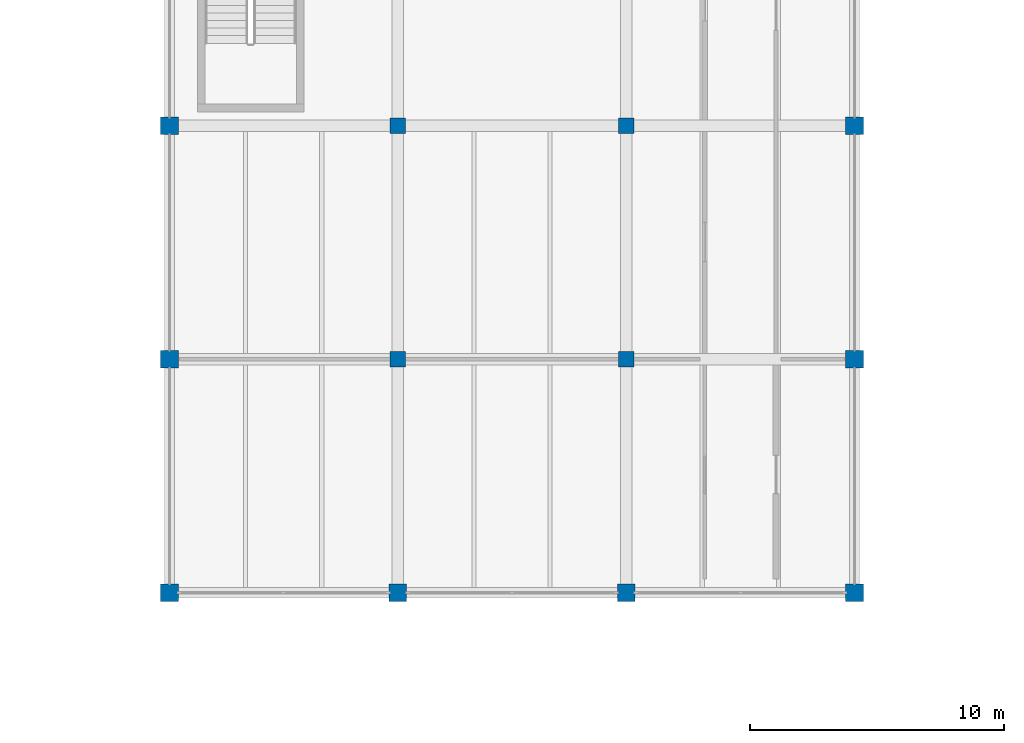
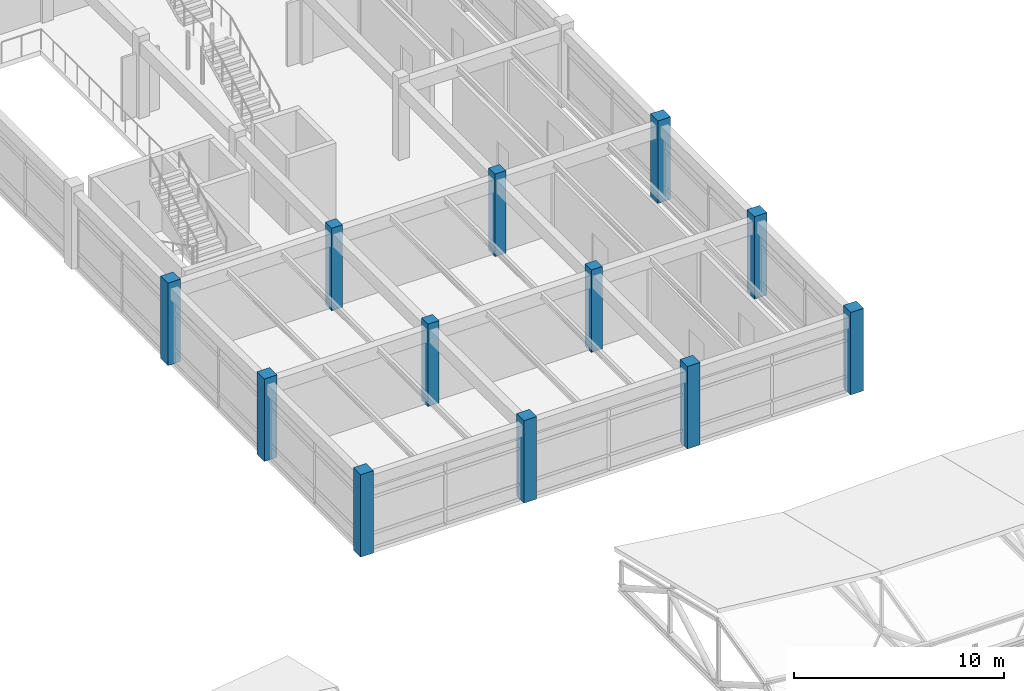
# One storey, part 5 of 90: 12 columns.
"""IFC4 building model written with IfcOpenShell, lengths in metres."""

import ifcopenshell
import ifcopenshell.guid

model = None  # the IFC model being written
_history = None  # IfcOwnerHistory: only IFC2X3 demands one
_inside = {}  # id of a spatial element -> (the spatial element, [elements in it])
_under = {}  # id of a project, library or spatial element -> (it, [spatial elements below it])
_declared = {}  # id of a project -> (the project, [libraries it declares])
_typed = {}  # id of a type object -> (the type object, [elements of that type])
_made_of = {}  # id of a material, layer set ... -> (it, [elements and type objects made of it])


def new_model(schema):
    """Start an empty IFC model of exactly this schema.

    Asked for "IFC4X3", IfcOpenShell would pick the latest addendum, in which some entities
    have other attributes; the version numbers below select the first issue.
    IFC2X3 requires an IfcOwnerHistory on every rooted entity: one is made here for all.
    """
    global model, _history
    if schema == "IFC4X3":
        model = ifcopenshell.file(schema_version=(4, 3, 0, 0))
    else:
        model = ifcopenshell.file(schema=schema)
    _inside.clear()
    _under.clear()
    _declared.clear()
    _typed.clear()
    _made_of.clear()
    _history = None
    if model.schema == "IFC2X3":
        org = make("IfcOrganization", Name="unknown")
        user = make(
            "IfcPersonAndOrganization",
            ThePerson=make("IfcPerson", FamilyName="unknown"),
            TheOrganization=org,
        )
        app = make(
            "IfcApplication",
            ApplicationDeveloper=org,
            Version="unknown",
            ApplicationFullName="unknown",
            ApplicationIdentifier="unknown",
        )
        _history = make(
            "IfcOwnerHistory",
            OwningUser=user,
            OwningApplication=app,
            ChangeAction="ADDED",
            CreationDate=0,
        )
    return model


def make(cls, **values):
    """One entity of the class cls with the attributes given. An attribute that is None is left unset."""
    return model.create_entity(
        cls, **{name: value for name, value in values.items() if value is not None}
    )


def rooted(cls, **values):
    """An entity with a GlobalId (a new one), such as an element, a storey or a relation."""
    return make(cls, GlobalId=ifcopenshell.guid.new(), OwnerHistory=_history, **values)


def si_unit(unit_type, name, prefix=None):
    """IfcSIUnit, for example si_unit("LENGTHUNIT", "METRE", prefix="MILLI")."""
    return make("IfcSIUnit", UnitType=unit_type, Prefix=prefix, Name=name)


def assignment(units):
    """IfcUnitAssignment: the units of a project."""
    return None if units is None else make("IfcUnitAssignment", Units=units)


def point(xyz):
    """IfcCartesianPoint."""
    return None if xyz is None else make("IfcCartesianPoint", Coordinates=xyz)


def direction(xyz):
    """IfcDirection."""
    return None if xyz is None else make("IfcDirection", DirectionRatios=xyz)


def frame(location, z_axis=None, x_axis=None):
    """IfcAxis2Placement3D, a coordinate frame: its origin and axes. An axis left out is left unset."""
    return make(
        "IfcAxis2Placement3D",
        Location=point(location),
        Axis=direction(z_axis),
        RefDirection=direction(x_axis),
    )


def frame_2d(location, x_axis=None):
    """IfcAxis2Placement2D, a coordinate frame in the plane: its origin and x axis."""
    return make(
        "IfcAxis2Placement2D", Location=point(location), RefDirection=direction(x_axis)
    )


def origin():
    """The frame at (0, 0, 0) with its axes left unset."""
    return frame((0.0, 0.0, 0.0))


def origin_2d():
    """The frame at (0, 0) in the plane with its x axis left unset."""
    return frame_2d((0.0, 0.0))


def place(relative_to, where):
    """IfcLocalPlacement: puts the frame where relative to a parent placement (None: the world)."""
    return make(
        "IfcLocalPlacement", PlacementRelTo=relative_to, RelativePlacement=where
    )


def context(
    kind, dimensions, precision=None, world=None, true_north=None, identifier=None
):
    """IfcGeometricRepresentationContext, for example the 3D "Model" context."""
    return make(
        "IfcGeometricRepresentationContext",
        ContextIdentifier=identifier,
        ContextType=kind,
        CoordinateSpaceDimension=dimensions,
        Precision=precision,
        WorldCoordinateSystem=world,
        TrueNorth=true_north,
    )


def subcontext(parent, identifier, kind, view, scale=None):
    """IfcGeometricRepresentationSubContext, for example "Body" below "Model"."""
    return make(
        "IfcGeometricRepresentationSubContext",
        ContextIdentifier=identifier,
        ContextType=kind,
        ParentContext=parent,
        TargetScale=scale,
        TargetView=view,
    )


def project(units=None, contexts=None):
    """IfcProject with its units and contexts."""
    return rooted(
        "IfcProject",
        Name="project",
        RepresentationContexts=contexts,
        UnitsInContext=assignment(units),
    )


def spatial(cls, under=None, at=None, **own):
    """A site, building, storey or space (cls), placed at a placement, below another one or the project."""
    s = rooted(cls, ObjectPlacement=at, **own)
    if under is not None:
        _under.setdefault(under.id(), (under, []))[1].append(s)
    return s


def profile(cls, at=None, kind="AREA", **sizes):
    """A parametric profile (cls). Its sizes go by their IFC names, for example OverallWidth=200.0."""
    return make(cls, ProfileType=kind, Position=at, **sizes)


def rectangle(**sizes):
    """IfcRectangleProfileDef."""
    return profile("IfcRectangleProfileDef", **sizes)


def extrude(swept, where, along, depth):
    """IfcExtrudedAreaSolid: the profile swept, set in the frame where, extruded along a direction by depth."""
    return make(
        "IfcExtrudedAreaSolid",
        SweptArea=swept,
        Position=where,
        ExtrudedDirection=direction(along),
        Depth=depth,
    )


def shape(context_of_items, identifier, shape_type, items):
    """IfcShapeRepresentation: the items that make up one representation, for example the "Body"."""
    return make(
        "IfcShapeRepresentation",
        ContextOfItems=context_of_items,
        RepresentationIdentifier=identifier,
        RepresentationType=shape_type,
        Items=items,
    )


def material(Name=None, Category=None):
    """IfcMaterial."""
    return make("IfcMaterial", Name=Name, Category=Category)


def material_profile(
    of_material, cross_section, Name=None, Category=None, Priority=None
):
    """IfcMaterialProfile: a cross section and its material."""
    return make(
        "IfcMaterialProfile",
        Name=Name,
        Material=of_material,
        Profile=cross_section,
        Priority=Priority,
        Category=Category,
    )


def profile_set(profiles, Name=None, composite=None):
    """IfcMaterialProfileSet."""
    return make(
        "IfcMaterialProfileSet",
        Name=Name,
        MaterialProfiles=profiles,
        CompositeProfile=composite,
    )


def made_of(thing, what):
    """Note that an element or type object is made of a material, layer set ...; save() writes the relation."""
    if what is not None:
        _made_of.setdefault(what.id(), (what, []))[1].append(thing)
    return thing


def type_object(cls, material=None, **own):
    """A type object (cls), such as IfcWallType, which elements share."""
    return made_of(rooted(cls, **own), material)


def element(
    cls,
    number,
    at=None,
    inside=None,
    cuts=None,
    type_object=None,
    material=None,
    context=None,
    identifier="Body",
    shape_type=None,
    held_by="IfcProductDefinitionShape",
    body=None,
    shapes=None,
    **own,
):
    """One element of the class cls, such as IfcWall. Its Tag is "e" and its number.

    at: its placement. inside: the storey or other place that contains it. cuts: it is an
    opening in that element (IfcRelVoidsElement). A single representation is given by context,
    identifier, shape_type and body (its items); several are given by shapes. held_by: the class
    of the entity that holds the representations. save() writes the other relations.
    """
    e = rooted(cls, Tag="e%d" % number, ObjectPlacement=at, **own)
    if body is not None:
        shapes = [shape(context, identifier, shape_type, body)]
    if shapes is not None:
        e.Representation = make(held_by, Representations=shapes)
    if inside is not None:
        _inside.setdefault(inside.id(), (inside, []))[1].append(e)
    if cuts is not None:
        rooted(
            "IfcRelVoidsElement", RelatingBuildingElement=cuts, RelatedOpeningElement=e
        )
    if type_object is not None:
        _typed.setdefault(type_object.id(), (type_object, []))[1].append(e)
    return made_of(e, material)


def aggregate(whole, parts):
    """IfcRelAggregates: a whole, such as a stair, and the parts it consists of."""
    return rooted("IfcRelAggregates", RelatingObject=whole, RelatedObjects=parts)


def save(model, path):
    """Write the relations noted so far, then the file.

    IfcRelAggregates (storeys below a building ...), IfcRelContainedInSpatialStructure (elements
    in a storey), IfcRelDefinesByType, IfcRelAssociatesMaterial and IfcRelDeclares: one each for
    every whole, place, type object, material and project.
    """
    for whole, parts in _under.values():
        aggregate(whole, parts)
    for where, things in _inside.values():
        rooted(
            "IfcRelContainedInSpatialStructure",
            RelatedElements=things,
            RelatingStructure=where,
        )
    for kind, things in _typed.values():
        rooted("IfcRelDefinesByType", RelatedObjects=things, RelatingType=kind)
    for what, things in _made_of.values():
        rooted("IfcRelAssociatesMaterial", RelatedObjects=things, RelatingMaterial=what)
    for by, libraries in _declared.values():
        rooted("IfcRelDeclares", RelatingContext=by, RelatedDefinitions=libraries)
    model.write(path)


model = new_model("IFC4")

# Units and contexts
model_context = context("Model", 3, precision=1e-05, world=origin(), true_north=direction((0.0, 1.0)))
body_context = subcontext(model_context, "Body", "Model", "MODEL_VIEW")
ifc_project = project(units=[si_unit("LENGTHUNIT", "METRE"), si_unit("AREAUNIT", "SQUARE_METRE"), si_unit("VOLUMEUNIT", "CUBIC_METRE"), si_unit("PLANEANGLEUNIT", "RADIAN"), si_unit("MASSUNIT", "GRAM", prefix="KILO")], contexts=[model_context])

# Site, building, storey
site_placement = place(None, origin())
site = spatial("IfcSite", under=ifc_project, at=site_placement, CompositionType="ELEMENT")
building_placement = place(site_placement, origin())
building = spatial("IfcBuilding", under=site, at=building_placement, Name="Bozkorgan Art Gallery", CompositionType="ELEMENT")
storey_placement = place(building_placement, frame((0.0, 0.0, 5.39990234375)))
storey = spatial("IfcBuildingStorey", under=building, at=storey_placement, Name="L01", CompositionType="ELEMENT", Elevation=5.39990234375)

# Columns
ifc_material = material(Name="Concrete C40/50", Category="concrete")
ifc_material_profile_1 = material_profile(ifc_material, rectangle(XDim=0.60009765625, YDim=0.60009765625, at=origin_2d()), Name="RC 600x600")
ifc_profile_set_1 = profile_set([ifc_material_profile_1], Name="Concrete C40/50")
column_type_1 = type_object("IfcColumnType", Name="COLUMN-C-57", PredefinedType="COLUMN", material=ifc_profile_set_1)
for number, where, z_axis, x_axis, name in (
    (1, (83.0, 47.60009765625, 0.0), (0.0, 0.0, 1.0), (1.0, 0.0, 0.0), "V4 L01 column (83.0, 47.6)"),
    (2, (83.0, 56.800048828125, 0.0), (0.0, 0.0, 1.0), (1.0, 0.0, 0.0), "V4 L01 column (83.0, 56.8)"),
    (3, (92.0, 47.60009765625, 0.0), (0.0, 0.0, 1.0), (1.0, 0.0, 0.0), "V4 L01 column (92.0, 47.6)"),
    (4, (92.0, 56.800048828125, 0.0), (0.0, 0.0, 1.0), (1.0, 0.0, 0.0), "V4 L01 column (92.0, 56.8)"),
):
    element("IfcColumn", number, at=place(storey_placement, frame(where, z_axis=z_axis, x_axis=x_axis)), inside=storey, type_object=column_type_1, Name=name, PredefinedType="COLUMN", context=body_context, shape_type="SweptSolid", body=[
        extrude(rectangle(XDim=0.60009765625, YDim=0.60009765625, at=origin_2d()), origin(), (0.0, 0.0, 1.0), 4.800048828125),
    ])
ifc_material_profile_2 = material_profile(ifc_material, rectangle(XDim=0.699951171875, YDim=0.699951171875, at=origin_2d()), Name="RC 700x700")
ifc_profile_set_2 = profile_set([ifc_material_profile_2], Name="Concrete C40/50")
column_type_2 = type_object("IfcColumnType", Name="COLUMN-C-73", PredefinedType="COLUMN", material=ifc_profile_set_2)
for number, where, z_axis, x_axis, name in (
    (5, (74.0, 38.39990234375, 0.0), (0.0, 0.0, 1.0), (1.0, 0.0, 0.0), "V4 L01 column (74.0, 38.4)"),
    (6, (74.0, 47.60009765625, 0.0), (0.0, 0.0, 1.0), (1.0, 0.0, 0.0), "V4 L01 column (74.0, 47.6)"),
    (7, (74.0, 56.800048828125, 0.0), (0.0, 0.0, 1.0), (1.0, 0.0, 0.0), "V4 L01 column (74.0, 56.8)"),
    (8, (83.0, 38.39990234375, 0.0), (0.0, 0.0, 1.0), (1.0, 0.0, 0.0), "V4 L01 column (83.0, 38.4)"),
    (9, (92.0, 38.39990234375, 0.0), (0.0, 0.0, 1.0), (1.0, 0.0, 0.0), "V4 L01 column (92.0, 38.4)"),
    (10, (101.0, 38.39990234375, 0.0), (0.0, 0.0, 1.0), (1.0, 0.0, 0.0), "V4 L01 column (101.0, 38.4)"),
    (11, (101.0, 47.60009765625, 0.0), (0.0, 0.0, 1.0), (1.0, 0.0, 0.0), "V4 L01 column (101.0, 47.6)"),
    (12, (101.0, 56.800048828125, 0.0), (0.0, 0.0, 1.0), (1.0, 0.0, 0.0), "V4 L01 column (101.0, 56.8)"),
):
    element("IfcColumn", number, at=place(storey_placement, frame(where, z_axis=z_axis, x_axis=x_axis)), inside=storey, type_object=column_type_2, Name=name, PredefinedType="COLUMN", context=body_context, shape_type="SweptSolid", body=[
        extrude(rectangle(XDim=0.699951171875, YDim=0.699951171875, at=origin_2d()), origin(), (0.0, 0.0, 1.0), 4.800048828125),
    ])

save(model, "model.ifc")
